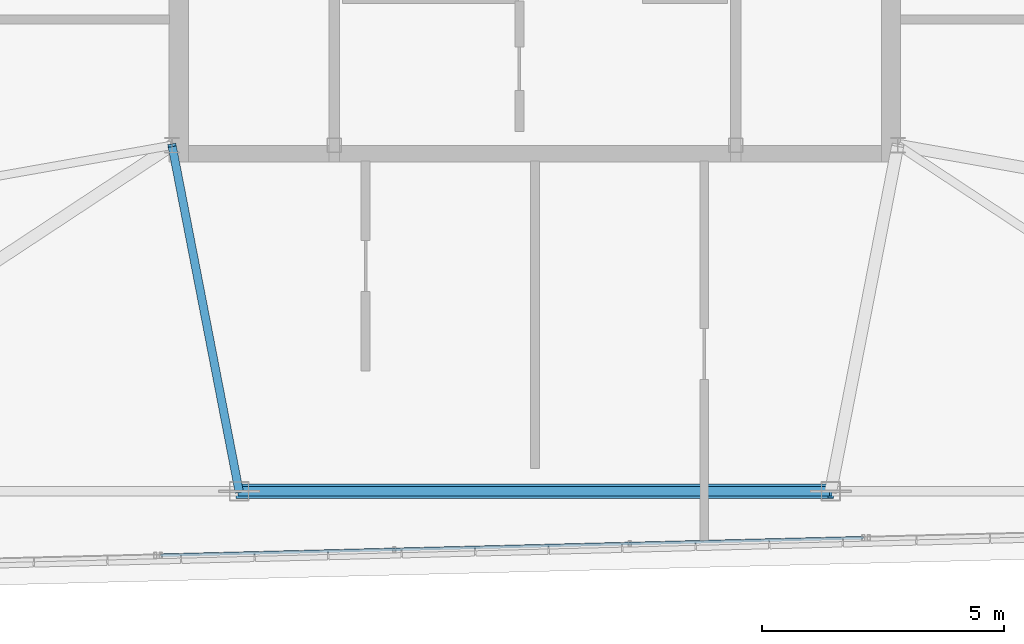
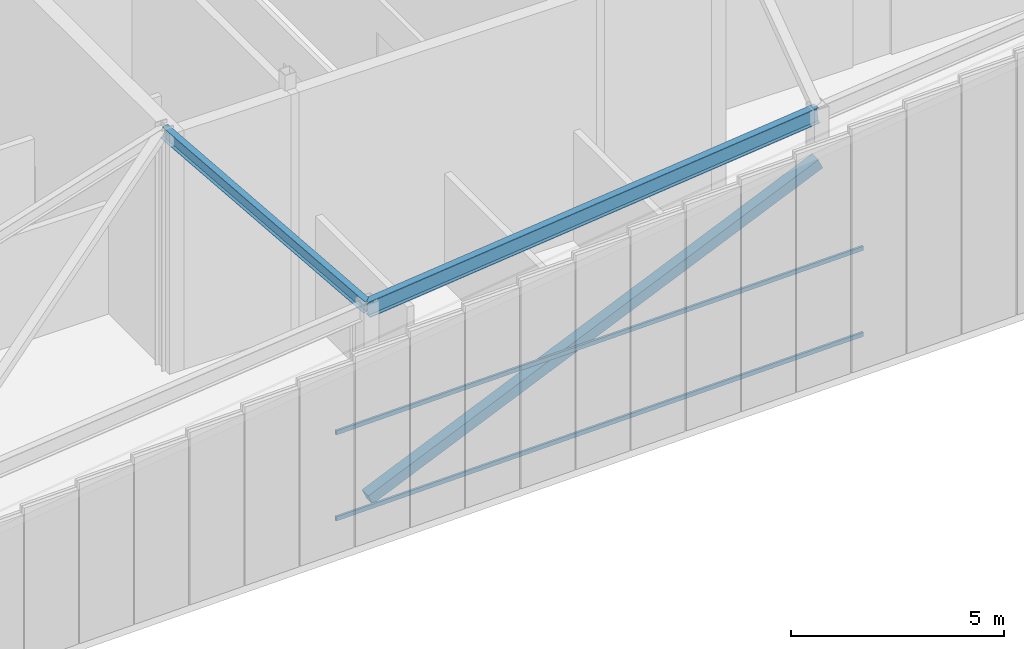
# One storey, part 11 of 50: 3 members, 2 beams, 1 element without a shape of its own.
"""IFC4 building model written with IfcOpenShell, lengths in metres."""

from ifc_helpers import new_model, si_unit, direction, frame, origin, origin_2d, place, context, subcontext, project, spatial, hollow_rectangle, i_section, extrude, source, transform, mapped, material, material_profile, profile_set, type_object, type_shapes, element, aggregate, save


model = new_model("IFC4")

# Units and contexts
model_context = context("Model", 3, precision=1e-05, world=origin(), true_north=direction((0.0, 1.0)))
body_context = subcontext(model_context, "Body", "Model", "MODEL_VIEW")
ifc_project = project(units=[si_unit("LENGTHUNIT", "METRE"), si_unit("AREAUNIT", "SQUARE_METRE"), si_unit("VOLUMEUNIT", "CUBIC_METRE"), si_unit("PLANEANGLEUNIT", "RADIAN"), si_unit("MASSUNIT", "GRAM", prefix="KILO")], contexts=[model_context])

# Site, building, storey
site_placement = place(None, origin())
site = spatial("IfcSite", under=ifc_project, at=site_placement, CompositionType="ELEMENT")
building_placement = place(site_placement, origin())
building = spatial("IfcBuilding", under=site, at=building_placement, Name="Caelisora Broadcast Tower", CompositionType="ELEMENT")
storey_placement = place(building_placement, frame((0.0, 0.0, 303.39990234375)))
storey = spatial("IfcBuildingStorey", under=building, at=storey_placement, Name="L80", CompositionType="ELEMENT", Elevation=303.39990234375)

# Member
ifc_material_1 = material(Name="Steel Grade 450 (AS/NZS 1163 C450L0)", Category="steel")
ifc_material_profile_1 = material_profile(ifc_material_1, hollow_rectangle(XDim=0.300048828125, YDim=0.300048828125, WallThickness=0.012451171875, at=origin_2d()), Name="Steel Grade 450 (AS/NZS 1163 C450L0)")
ifc_profile_set_1 = profile_set([ifc_material_profile_1], Name="Steel Grade 450 (AS/NZS 1163 C450L0)")
member_type_1 = type_object("IfcMemberType", Name="BR06", PredefinedType="BRACE", material=ifc_profile_set_1)
shared_shape_1 = source(origin(), body_context, "Body", "SweptSolid", [
    extrude(hollow_rectangle(XDim=0.300048828125, YDim=0.300048828125, WallThickness=0.012451171875, at=origin_2d()), origin(), (0.0, 0.0, 1.0), 13.354248046875),
])
type_shapes(member_type_1, [shared_shape_1])
member_1_placement = place(storey_placement, frame((31.88720703125, 10.25, 0.10009765625), z_axis=(0.915486397805, 0.0, 0.402348922496), x_axis=(0.0, 1.0, 0.0)))
element("IfcMember", 1, at=member_1_placement, inside=storey, type_object=member_type_1, Name="L80 perimeter brace BR06", PredefinedType="BRACE", context=body_context, shape_type="MappedRepresentation", body=[
    mapped(shared_shape_1, transform((0.0, 0.0, 0.0), scale=1.0)),
])

# Beams
ifc_material_2 = material(Name="Steel Grade 350 (AS/NZS 3679.1)", Category="steel")
ifc_material_profile_2 = material_profile(ifc_material_2, i_section(OverallWidth=0.19091796875, OverallDepth=0.46044921875, WebThickness=0.010009765625, FlangeThickness=0.01611328125, at=origin_2d()), Name="Steel Grade 350 (AS/NZS 3679.1)")
ifc_profile_set_2 = profile_set([ifc_material_profile_2], Name="Steel Grade 350 (AS/NZS 3679.1)")
beam_type_1 = type_object("IfcBeamType", Name="RB01", PredefinedType="USERDEFINED", material=ifc_profile_set_2)
shared_shape_2 = source(origin(), body_context, "Body", "SweptSolid", [
    extrude(i_section(OverallWidth=0.19091796875, OverallDepth=0.46044921875, WebThickness=0.010009765625, FlangeThickness=0.01611328125, at=origin_2d()), origin(), (0.0, 0.0, 1.0), 12.2958984375),
])
type_shapes(beam_type_1, [shared_shape_2])
beam_1_placement = place(storey_placement, frame((31.88720703125, 10.25, 5.521484375), z_axis=(0.994271836341, 0.0, 0.106880847013), x_axis=(0.0, 1.0, 0.0)))
element("IfcBeam", 2, at=beam_1_placement, inside=storey, type_object=beam_type_1, Name="L80 beam RB01", ObjectType="RAFTER", PredefinedType="USERDEFINED", context=body_context, shape_type="MappedRepresentation", body=[
    mapped(shared_shape_2, transform((0.0, 0.0, 0.0), scale=1.0)),
])
ifc_material_profile_3 = material_profile(ifc_material_2, i_section(OverallWidth=0.172119140625, OverallDepth=0.358642578125, WebThickness=0.008056640625, FlangeThickness=0.012939453125, at=origin_2d()), Name="Steel Grade 350 (AS/NZS 3679.1)")
ifc_profile_set_3 = profile_set([ifc_material_profile_3], Name="Steel Grade 350 (AS/NZS 3679.1)")
beam_type_2 = type_object("IfcBeamType", Name="RB02", PredefinedType="USERDEFINED", material=ifc_profile_set_3)
shared_shape_3 = source(origin(), body_context, "Body", "SweptSolid", [
    extrude(i_section(OverallWidth=0.172119140625, OverallDepth=0.358642578125, WebThickness=0.008056640625, FlangeThickness=0.012939453125, at=origin_2d()), origin(), (0.0, 0.0, 1.0), 7.37841796875),
])
type_shapes(beam_type_2, [shared_shape_3])
beam_2_placement = place(storey_placement, frame((30.5, 17.39990234375, 6.75341796875), z_axis=(0.188006582609, -0.969018088397, -0.160179490744), x_axis=(0.981693812892, 0.190465896498, 0.0)))
element("IfcBeam", 3, at=beam_2_placement, inside=storey, type_object=beam_type_2, Name="L80 beam RB02", ObjectType="RAFTER", PredefinedType="USERDEFINED", context=body_context, shape_type="MappedRepresentation", body=[
    mapped(shared_shape_3, transform((0.0, 0.0, 0.0), scale=1.0)),
])

# Curtain wall, members
ifc_material_3 = material(Name="Unitised Aluminium Insulated Shadow-Box Spandrel Curtain Wall", Category="aluminium")
curtain_wall_type = type_object("IfcCurtainWallType", Name="CW-SP3", PredefinedType="NOTDEFINED", material=ifc_material_3)
curtain_wall_placement = place(storey_placement, origin())
curtain_wall = element("IfcCurtainWall", 4, at=curtain_wall_placement, inside=storey, type_object=curtain_wall_type, Name="L80 curtain wall CW-SP3", PredefinedType="NOTDEFINED")
ifc_material_4 = material(Name="Aluminium 6063-T6 Anodised Terracotta Bronze", Category="aluminium")
ifc_material_profile_4 = material_profile(ifc_material_4, hollow_rectangle(XDim=0.06005859375, YDim=0.1201171875, WallThickness=0.0029296875, at=origin_2d()), Name="Aluminium 6063-T6 Anodised Terracotta Bronze")
ifc_profile_set_4 = profile_set([ifc_material_profile_4], Name="Aluminium 6063-T6 Anodised Terracotta Bronze")
member_type_2 = type_object("IfcMemberType", Name="CWT-03", PredefinedType="USERDEFINED", material=ifc_profile_set_4)
shared_shape_4 = source(origin(), body_context, "Body", "SweptSolid", [
    extrude(hollow_rectangle(XDim=0.06005859375, YDim=0.1201171875, WallThickness=0.0029296875, at=origin_2d()), origin(), (0.0, 0.0, 1.0), 14.52880859375),
])
type_shapes(member_type_2, [shared_shape_4])
member_2_placement = place(storey_placement, frame((44.788818359375, 9.2890625, 0.85009765625), z_axis=(-0.999689449076, -0.024919980047, 0.0), x_axis=(0.024919980047, -0.999689449076, 0.0)))
member_2 = element("IfcMember", 5, at=member_2_placement, type_object=member_type_2, Name="L80-CW-B06 transom #1", ObjectType="TRANSOM", PredefinedType="USERDEFINED", context=body_context, shape_type="MappedRepresentation", body=[
    mapped(shared_shape_4, transform((0.0, 0.0, 0.0), scale=1.0)),
])
member_3_placement = place(storey_placement, frame((44.788818359375, 9.2890625, 3.320068359375), z_axis=(-0.999689449076, -0.024919980047, 0.0), x_axis=(0.024919980047, -0.999689449076, 0.0)))
member_3 = element("IfcMember", 6, at=member_3_placement, type_object=member_type_2, Name="L80-CW-B06 transom #2", ObjectType="TRANSOM", PredefinedType="USERDEFINED", context=body_context, shape_type="MappedRepresentation", body=[
    mapped(shared_shape_4, transform((0.0, 0.0, 0.0), scale=1.0)),
])
aggregate(curtain_wall, [member_2, member_3])

save(model, "model.ifc")
